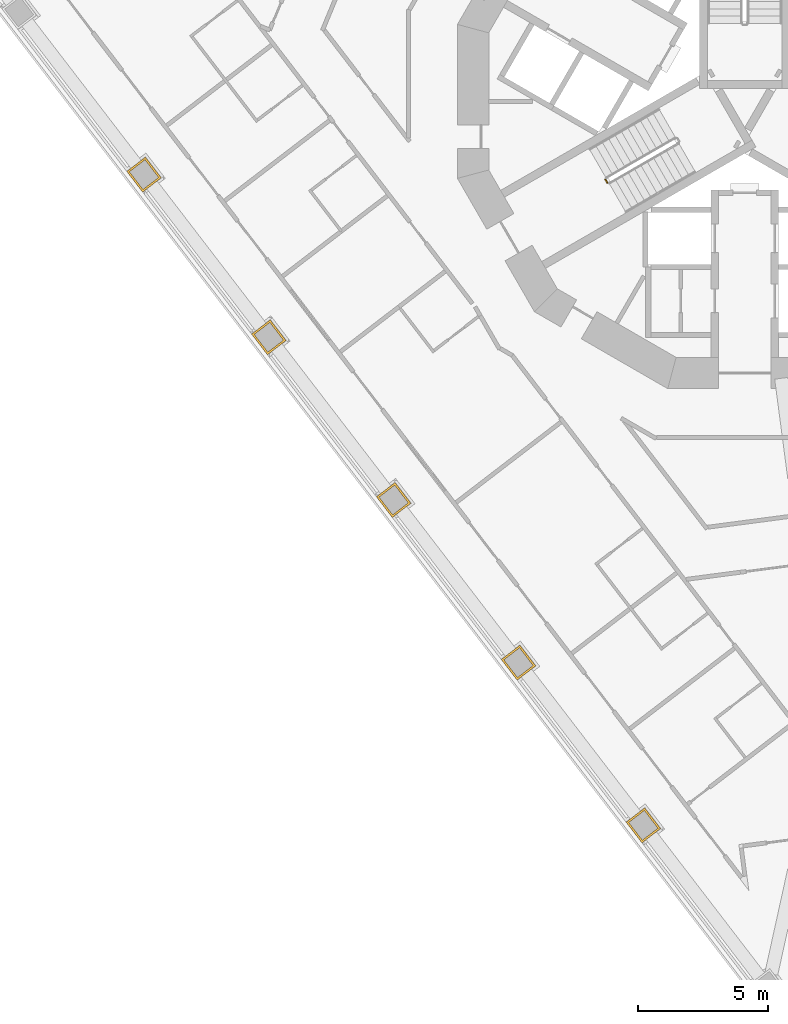
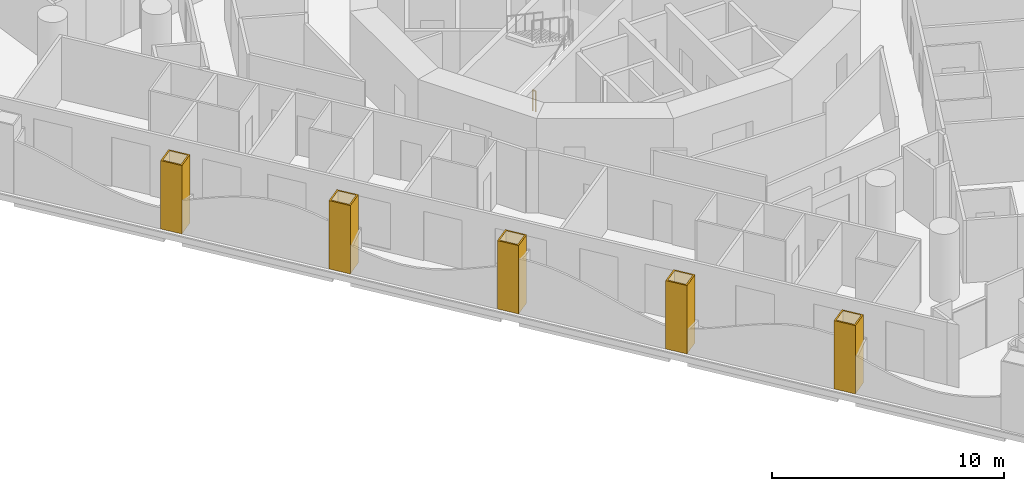
# One storey, part 12 of 19: 5 coverings, 1 railing.
"""IFC4 building model written with IfcOpenShell, lengths in metres."""

import ifcopenshell
import ifcopenshell.guid

model = None  # the IFC model being written
_history = None  # IfcOwnerHistory: only IFC2X3 demands one
_inside = {}  # id of a spatial element -> (the spatial element, [elements in it])
_under = {}  # id of a project, library or spatial element -> (it, [spatial elements below it])
_declared = {}  # id of a project -> (the project, [libraries it declares])
_typed = {}  # id of a type object -> (the type object, [elements of that type])
_made_of = {}  # id of a material, layer set ... -> (it, [elements and type objects made of it])


def new_model(schema):
    """Start an empty IFC model of exactly this schema.

    Asked for "IFC4X3", IfcOpenShell would pick the latest addendum, in which some entities
    have other attributes; the version numbers below select the first issue.
    IFC2X3 requires an IfcOwnerHistory on every rooted entity: one is made here for all.
    """
    global model, _history
    if schema == "IFC4X3":
        model = ifcopenshell.file(schema_version=(4, 3, 0, 0))
    else:
        model = ifcopenshell.file(schema=schema)
    _inside.clear()
    _under.clear()
    _declared.clear()
    _typed.clear()
    _made_of.clear()
    _history = None
    if model.schema == "IFC2X3":
        org = make("IfcOrganization", Name="unknown")
        user = make(
            "IfcPersonAndOrganization",
            ThePerson=make("IfcPerson", FamilyName="unknown"),
            TheOrganization=org,
        )
        app = make(
            "IfcApplication",
            ApplicationDeveloper=org,
            Version="unknown",
            ApplicationFullName="unknown",
            ApplicationIdentifier="unknown",
        )
        _history = make(
            "IfcOwnerHistory",
            OwningUser=user,
            OwningApplication=app,
            ChangeAction="ADDED",
            CreationDate=0,
        )
    return model


def make(cls, **values):
    """One entity of the class cls with the attributes given. An attribute that is None is left unset."""
    return model.create_entity(
        cls, **{name: value for name, value in values.items() if value is not None}
    )


def rooted(cls, **values):
    """An entity with a GlobalId (a new one), such as an element, a storey or a relation."""
    return make(cls, GlobalId=ifcopenshell.guid.new(), OwnerHistory=_history, **values)


def si_unit(unit_type, name, prefix=None):
    """IfcSIUnit, for example si_unit("LENGTHUNIT", "METRE", prefix="MILLI")."""
    return make("IfcSIUnit", UnitType=unit_type, Prefix=prefix, Name=name)


def assignment(units):
    """IfcUnitAssignment: the units of a project."""
    return None if units is None else make("IfcUnitAssignment", Units=units)


def point(xyz):
    """IfcCartesianPoint."""
    return None if xyz is None else make("IfcCartesianPoint", Coordinates=xyz)


def direction(xyz):
    """IfcDirection."""
    return None if xyz is None else make("IfcDirection", DirectionRatios=xyz)


def frame(location, z_axis=None, x_axis=None):
    """IfcAxis2Placement3D, a coordinate frame: its origin and axes. An axis left out is left unset."""
    return make(
        "IfcAxis2Placement3D",
        Location=point(location),
        Axis=direction(z_axis),
        RefDirection=direction(x_axis),
    )


def frame_2d(location, x_axis=None):
    """IfcAxis2Placement2D, a coordinate frame in the plane: its origin and x axis."""
    return make(
        "IfcAxis2Placement2D", Location=point(location), RefDirection=direction(x_axis)
    )


def origin():
    """The frame at (0, 0, 0) with its axes left unset."""
    return frame((0.0, 0.0, 0.0))


def origin_2d():
    """The frame at (0, 0) in the plane with its x axis left unset."""
    return frame_2d((0.0, 0.0))


def place(relative_to, where):
    """IfcLocalPlacement: puts the frame where relative to a parent placement (None: the world)."""
    return make(
        "IfcLocalPlacement", PlacementRelTo=relative_to, RelativePlacement=where
    )


def context(
    kind, dimensions, precision=None, world=None, true_north=None, identifier=None
):
    """IfcGeometricRepresentationContext, for example the 3D "Model" context."""
    return make(
        "IfcGeometricRepresentationContext",
        ContextIdentifier=identifier,
        ContextType=kind,
        CoordinateSpaceDimension=dimensions,
        Precision=precision,
        WorldCoordinateSystem=world,
        TrueNorth=true_north,
    )


def subcontext(parent, identifier, kind, view, scale=None):
    """IfcGeometricRepresentationSubContext, for example "Body" below "Model"."""
    return make(
        "IfcGeometricRepresentationSubContext",
        ContextIdentifier=identifier,
        ContextType=kind,
        ParentContext=parent,
        TargetScale=scale,
        TargetView=view,
    )


def project(units=None, contexts=None):
    """IfcProject with its units and contexts."""
    return rooted(
        "IfcProject",
        Name="project",
        RepresentationContexts=contexts,
        UnitsInContext=assignment(units),
    )


def spatial(cls, under=None, at=None, **own):
    """A site, building, storey or space (cls), placed at a placement, below another one or the project."""
    s = rooted(cls, ObjectPlacement=at, **own)
    if under is not None:
        _under.setdefault(under.id(), (under, []))[1].append(s)
    return s


def polyline(points):
    """IfcPolyline through the points."""
    return make("IfcPolyline", Points=[point(p) for p in points])


def profile(cls, at=None, kind="AREA", **sizes):
    """A parametric profile (cls). Its sizes go by their IFC names, for example OverallWidth=200.0."""
    return make(cls, ProfileType=kind, Position=at, **sizes)


def circle(**sizes):
    """IfcCircleProfileDef."""
    return profile("IfcCircleProfileDef", **sizes)


def outline(outer, holes=None, kind="AREA"):
    """IfcArbitraryClosedProfileDef: a profile drawn as a closed curve; with holes, ...WithVoids."""
    if holes is None:
        return make("IfcArbitraryClosedProfileDef", ProfileType=kind, OuterCurve=outer)
    return make(
        "IfcArbitraryProfileDefWithVoids",
        ProfileType=kind,
        OuterCurve=outer,
        InnerCurves=holes,
    )


def extrude(swept, where, along, depth):
    """IfcExtrudedAreaSolid: the profile swept, set in the frame where, extruded along a direction by depth."""
    return make(
        "IfcExtrudedAreaSolid",
        SweptArea=swept,
        Position=where,
        ExtrudedDirection=direction(along),
        Depth=depth,
    )


def shape(context_of_items, identifier, shape_type, items):
    """IfcShapeRepresentation: the items that make up one representation, for example the "Body"."""
    return make(
        "IfcShapeRepresentation",
        ContextOfItems=context_of_items,
        RepresentationIdentifier=identifier,
        RepresentationType=shape_type,
        Items=items,
    )


def material(Name=None, Category=None):
    """IfcMaterial."""
    return make("IfcMaterial", Name=Name, Category=Category)


def layer(
    of_material, thickness, ventilated=None, Name=None, Category=None, Priority=None
):
    """IfcMaterialLayer: one layer of a wall or slab, of a material (None: an air gap)."""
    return make(
        "IfcMaterialLayer",
        Material=of_material,
        LayerThickness=thickness,
        IsVentilated=ventilated,
        Name=Name,
        Category=Category,
        Priority=Priority,
    )


def layer_set(layers, Name=None):
    """IfcMaterialLayerSet."""
    return make("IfcMaterialLayerSet", MaterialLayers=layers, LayerSetName=Name)


def made_of(thing, what):
    """Note that an element or type object is made of a material, layer set ...; save() writes the relation."""
    if what is not None:
        _made_of.setdefault(what.id(), (what, []))[1].append(thing)
    return thing


def type_object(cls, material=None, **own):
    """A type object (cls), such as IfcWallType, which elements share."""
    return made_of(rooted(cls, **own), material)


def element(
    cls,
    number,
    at=None,
    inside=None,
    cuts=None,
    type_object=None,
    material=None,
    context=None,
    identifier="Body",
    shape_type=None,
    held_by="IfcProductDefinitionShape",
    body=None,
    shapes=None,
    **own,
):
    """One element of the class cls, such as IfcWall. Its Tag is "e" and its number.

    at: its placement. inside: the storey or other place that contains it. cuts: it is an
    opening in that element (IfcRelVoidsElement). A single representation is given by context,
    identifier, shape_type and body (its items); several are given by shapes. held_by: the class
    of the entity that holds the representations. save() writes the other relations.
    """
    e = rooted(cls, Tag="e%d" % number, ObjectPlacement=at, **own)
    if body is not None:
        shapes = [shape(context, identifier, shape_type, body)]
    if shapes is not None:
        e.Representation = make(held_by, Representations=shapes)
    if inside is not None:
        _inside.setdefault(inside.id(), (inside, []))[1].append(e)
    if cuts is not None:
        rooted(
            "IfcRelVoidsElement", RelatingBuildingElement=cuts, RelatedOpeningElement=e
        )
    if type_object is not None:
        _typed.setdefault(type_object.id(), (type_object, []))[1].append(e)
    return made_of(e, material)


def aggregate(whole, parts):
    """IfcRelAggregates: a whole, such as a stair, and the parts it consists of."""
    return rooted("IfcRelAggregates", RelatingObject=whole, RelatedObjects=parts)


def save(model, path):
    """Write the relations noted so far, then the file.

    IfcRelAggregates (storeys below a building ...), IfcRelContainedInSpatialStructure (elements
    in a storey), IfcRelDefinesByType, IfcRelAssociatesMaterial and IfcRelDeclares: one each for
    every whole, place, type object, material and project.
    """
    for whole, parts in _under.values():
        aggregate(whole, parts)
    for where, things in _inside.values():
        rooted(
            "IfcRelContainedInSpatialStructure",
            RelatedElements=things,
            RelatingStructure=where,
        )
    for kind, things in _typed.values():
        rooted("IfcRelDefinesByType", RelatedObjects=things, RelatingType=kind)
    for what, things in _made_of.values():
        rooted("IfcRelAssociatesMaterial", RelatedObjects=things, RelatingMaterial=what)
    for by, libraries in _declared.values():
        rooted("IfcRelDeclares", RelatingContext=by, RelatedDefinitions=libraries)
    model.write(path)


model = new_model("IFC4")

# Units and contexts
model_context = context("Model", 3, precision=1e-05, world=origin(), true_north=direction((0.0, 1.0)))
body_context = subcontext(model_context, "Body", "Model", "MODEL_VIEW")
ifc_project = project(units=[si_unit("LENGTHUNIT", "METRE"), si_unit("AREAUNIT", "SQUARE_METRE"), si_unit("VOLUMEUNIT", "CUBIC_METRE"), si_unit("PLANEANGLEUNIT", "RADIAN"), si_unit("MASSUNIT", "GRAM", prefix="KILO")], contexts=[model_context])

# Site, building, storey
site_placement = place(None, origin())
site = spatial("IfcSite", under=ifc_project, at=site_placement, CompositionType="ELEMENT")
building_placement = place(site_placement, origin())
building = spatial("IfcBuilding", under=site, at=building_placement, Name="Trine Commons Tower", CompositionType="ELEMENT")
storey_placement = place(building_placement, frame((0.0, 0.0, 64.800048828125)))
storey = spatial("IfcBuildingStorey", under=building, at=storey_placement, Name="L15", CompositionType="ELEMENT", Elevation=64.800048828125)

# Coverings
ifc_material_1 = material(Name="Limestone, honed", Category="masonry")
ifc_layer = layer(ifc_material_1, 0.074951171875)
ifc_layer_set = layer_set([ifc_layer], Name="Limestone, honed")
covering_type = type_object("IfcCoveringType", Name="Limestone column cladding 75", PredefinedType="CLADDING", material=ifc_layer_set)
covering_1_placement = place(storey_placement, origin())
element("IfcCovering", 1, at=covering_1_placement, inside=storey, type_object=covering_type, Name="Limestone pier cladding 2-02", PredefinedType="CLADDING", context=body_context, shape_type="SweptSolid", body=[
    extrude(outline(polyline([(76.1669921875, 35.419189453125), (75.452880859375, 34.87109375), (76.061767578125, 34.077880859375), (76.775634765625, 34.625732421875), (76.1669921875, 35.419189453125)]), holes=[polyline([(76.153076171875, 35.31396484375), (75.55810546875, 34.857421875), (76.075439453125, 34.18310546875), (76.67041015625, 34.6396484375), (76.153076171875, 35.31396484375)])]), origin(), (0.0, 0.0, 1.0), 3.599853515625),
])
covering_2_placement = place(storey_placement, origin())
element("IfcCovering", 2, at=covering_2_placement, inside=storey, type_object=covering_type, Name="Limestone pier cladding 2-03", PredefinedType="CLADDING", context=body_context, shape_type="SweptSolid", body=[
    extrude(outline(polyline([(71.381591796875, 41.6552734375), (70.667724609375, 41.107421875), (71.276611328125, 40.314208984375), (71.990478515625, 40.862060546875), (71.381591796875, 41.6552734375)]), holes=[polyline([(71.367919921875, 41.55029296875), (70.77294921875, 41.093505859375), (71.290283203125, 40.419189453125), (71.88525390625, 40.875732421875), (71.367919921875, 41.55029296875)])]), origin(), (0.0, 0.0, 1.0), 3.599853515625),
])
covering_3_placement = place(storey_placement, origin())
element("IfcCovering", 3, at=covering_3_placement, inside=storey, type_object=covering_type, Name="Limestone pier cladding 2-04", PredefinedType="CLADDING", context=body_context, shape_type="SweptSolid", body=[
    extrude(outline(polyline([(66.5966796875, 47.891357421875), (65.882568359375, 47.343505859375), (66.491455078125, 46.55029296875), (67.205322265625, 47.09814453125), (66.5966796875, 47.891357421875)]), holes=[polyline([(66.582763671875, 47.786376953125), (65.98779296875, 47.32958984375), (66.505126953125, 46.6552734375), (67.10009765625, 47.11181640625), (66.582763671875, 47.786376953125)])]), origin(), (0.0, 0.0, 1.0), 3.599853515625),
])
covering_4_placement = place(storey_placement, origin())
element("IfcCovering", 4, at=covering_4_placement, inside=storey, type_object=covering_type, Name="Limestone pier cladding 2-05", PredefinedType="CLADDING", context=body_context, shape_type="SweptSolid", body=[
    extrude(outline(polyline([(61.811279296875, 54.127685546875), (61.097412109375, 53.57958984375), (61.706298828125, 52.786376953125), (62.420166015625, 53.334228515625), (61.811279296875, 54.127685546875)]), holes=[polyline([(61.797607421875, 54.0224609375), (61.20263671875, 53.56591796875), (61.719970703125, 52.8916015625), (62.31494140625, 53.34814453125), (61.797607421875, 54.0224609375)])]), origin(), (0.0, 0.0, 1.0), 3.599853515625),
])
covering_5_placement = place(storey_placement, origin())
element("IfcCovering", 5, at=covering_5_placement, inside=storey, type_object=covering_type, Name="Limestone pier cladding 2-06", PredefinedType="CLADDING", context=body_context, shape_type="SweptSolid", body=[
    extrude(outline(polyline([(57.026123046875, 60.36376953125), (56.312255859375, 59.81591796875), (56.9208984375, 59.022705078125), (57.635009765625, 59.570556640625), (57.026123046875, 60.36376953125)]), holes=[polyline([(57.012451171875, 60.2587890625), (56.41748046875, 59.802001953125), (56.934814453125, 59.127685546875), (57.52978515625, 59.584228515625), (57.012451171875, 60.2587890625)])]), origin(), (0.0, 0.0, 1.0), 3.599853515625),
])

# Railing
ifc_material_2 = material(Name="Stainless steel balustrade", Category="steel")
railing_type = type_object("IfcRailingType", Name="Stair guard, steel balustrade 1100", PredefinedType="GUARDRAIL", material=ifc_material_2)
railing_placement = place(storey_placement, frame((74.73681640625, 59.374755859375, 0.0)))
element("IfcRailing", 6, at=railing_placement, inside=storey, type_object=railing_type, Name="L15 ST2A stair guard 4", PredefinedType="GUARDRAIL", context=body_context, shape_type="SweptSolid", body=[
    extrude(circle(Radius=0.02392578125, at=origin_2d()), frame((0.0, 0.0, 1.076171875), z_axis=(-0.499816412211, 0.866131372301, 0.0), x_axis=(-0.866131372301, -0.499816412211, 0.0)), (0.0, 0.0, 1.0), 0.14990234375),
    extrude(circle(Radius=0.02099609375, at=origin_2d()), origin(), (0.0, 0.0, 1.0), 1.052001953125),
    extrude(circle(Radius=0.02099609375, at=origin_2d()), frame((-0.074951171875, 0.1298828125, 0.0)), (0.0, 0.0, 1.0), 1.052001953125),
])

save(model, "model.ifc")
